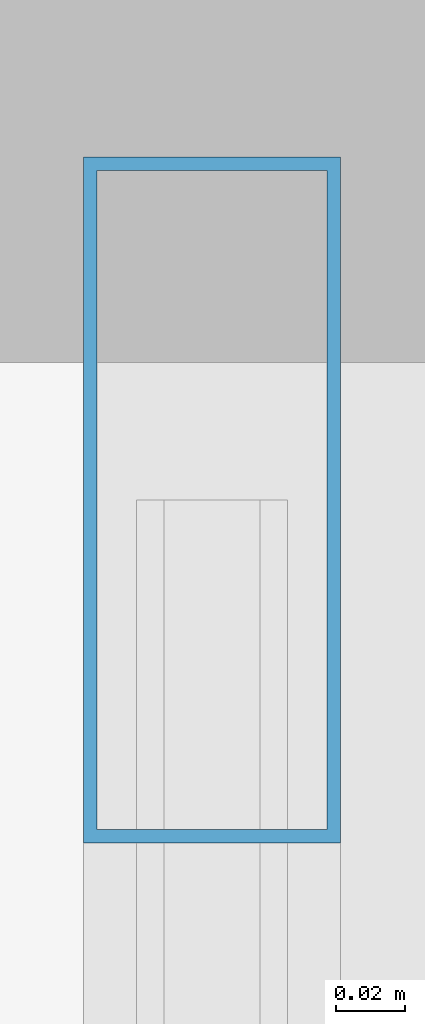
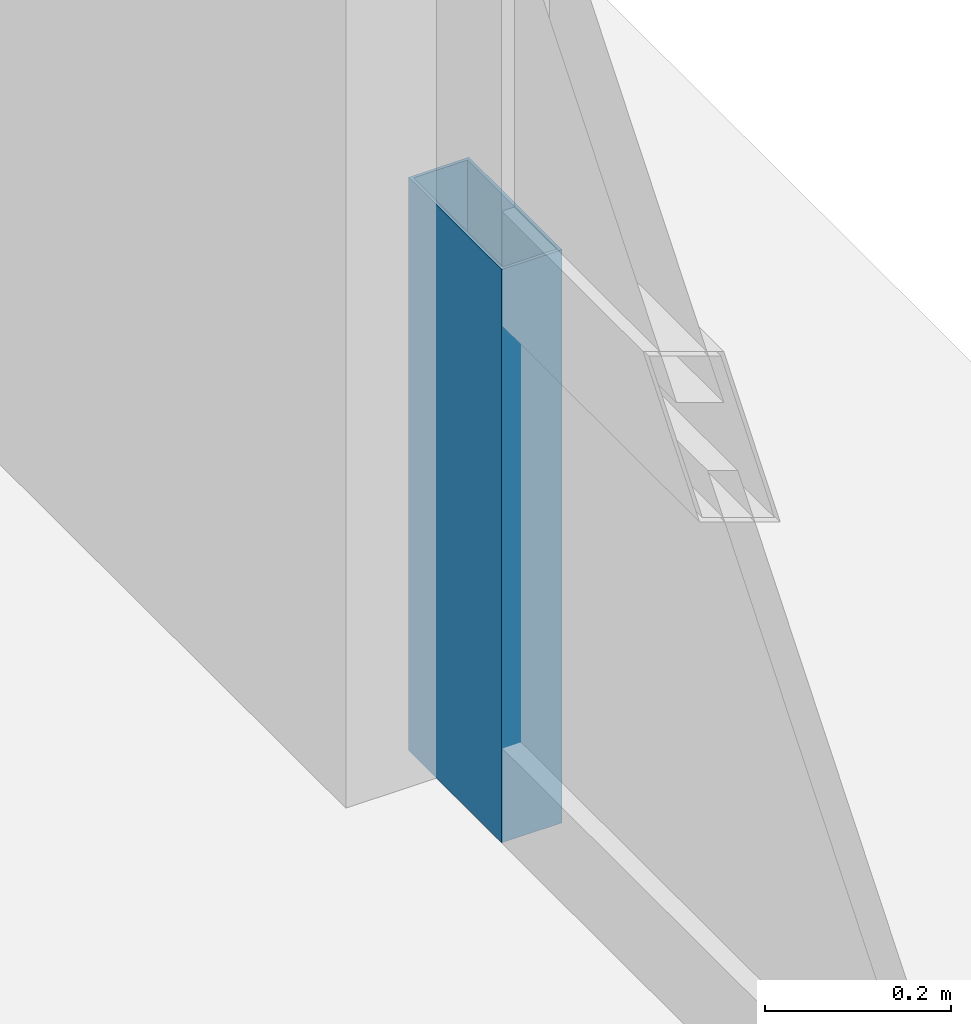
# One storey, part 28 of 35: 1 member, 1 element without a shape of its own.
"""IFC4 building model written with IfcOpenShell, lengths in metres."""

from ifc_helpers import new_model, si_unit, direction, frame, origin, origin_2d, place, context, subcontext, project, spatial, hollow_rectangle, extrude, source, transform, mapped, material, layer, layer_set, material_profile, profile_set, type_object, element, aggregate, save


model = new_model("IFC4")

# Units and contexts
model_context = context("Model", 3, precision=1e-05, world=origin(), true_north=direction((0.0, 1.0)))
body_context = subcontext(model_context, "Body", "Model", "MODEL_VIEW")
ifc_project = project(units=[si_unit("LENGTHUNIT", "METRE"), si_unit("AREAUNIT", "SQUARE_METRE"), si_unit("VOLUMEUNIT", "CUBIC_METRE"), si_unit("PLANEANGLEUNIT", "RADIAN"), si_unit("MASSUNIT", "GRAM", prefix="KILO"), si_unit("THERMODYNAMICTEMPERATUREUNIT", "KELVIN"), si_unit("POWERUNIT", "WATT")], contexts=[model_context])

# Site, building, storey
site_placement = place(None, origin())
site = spatial("IfcSite", under=ifc_project, at=site_placement, CompositionType="ELEMENT")
building_placement = place(site_placement, origin())
building = spatial("IfcBuilding", under=site, at=building_placement, Name="Yuzanri Waterfront Tower", CompositionType="ELEMENT")
storey_placement = place(building_placement, frame((0.0, 0.0, 299.60009765625)))
storey = spatial("IfcBuildingStorey", under=building, at=storey_placement, Name="L80", CompositionType="ELEMENT", Elevation=299.60009765625)

# Curtain wall, member
ifc_material_1 = material(Name="Anodized Architectural Bronze", Category="metal")
ifc_layer = layer(ifc_material_1, 0.159912109375)
ifc_layer_set = layer_set([ifc_layer], Name="Anodized Architectural Bronze")
curtain_wall_type = type_object("IfcCurtainWallType", Name="Anodized Bronze High-Rise Penthouse High-Wind Unitized Curtain Wall 6900", PredefinedType="NOTDEFINED", material=ifc_layer_set)
curtain_wall_placement = place(storey_placement, origin())
curtain_wall = element("IfcCurtainWall", 1, at=curtain_wall_placement, inside=storey, type_object=curtain_wall_type, Name="L80 Curtain Wall CW-L80-ER", PredefinedType="NOTDEFINED")
ifc_material_2 = material(Name="Anodized Architectural Bronze", Category="metal")
ifc_material_profile = material_profile(ifc_material_2, hollow_rectangle(XDim=0.074951171875, YDim=0.199951171875, WallThickness=0.00390625, at=origin_2d()), Name="CWM 75x200")
ifc_profile_set = profile_set([ifc_material_profile], Name="Anodized Architectural Bronze")
member_type = type_object("IfcMemberType", Name="Anodized Bronze Primary Curtain-Wall Mullion 75x200", PredefinedType="MULLION", material=ifc_profile_set)
shared_shape = source(origin(), body_context, "Body", "SweptSolid", [
    extrude(hollow_rectangle(XDim=0.074951171875, YDim=0.199951171875, WallThickness=0.00390625, at=origin_2d()), origin(), (0.0, 0.0, 1.0), 0.751953125),
])
member_placement = place(storey_placement, frame((55.949951171875, 37.510009765625, 0.0), z_axis=(0.0, 0.0, 1.0), x_axis=(1.0, 0.0, 0.0)))
member = element("IfcMember", 2, at=member_placement, type_object=member_type, Name="CW-L80-ER Lower Mullion 02", PredefinedType="MULLION", context=body_context, shape_type="MappedRepresentation", body=[
    mapped(shared_shape, transform((0.0, 0.0, 0.0), scale=1.0)),
])
aggregate(curtain_wall, [member])

save(model, "model.ifc")
